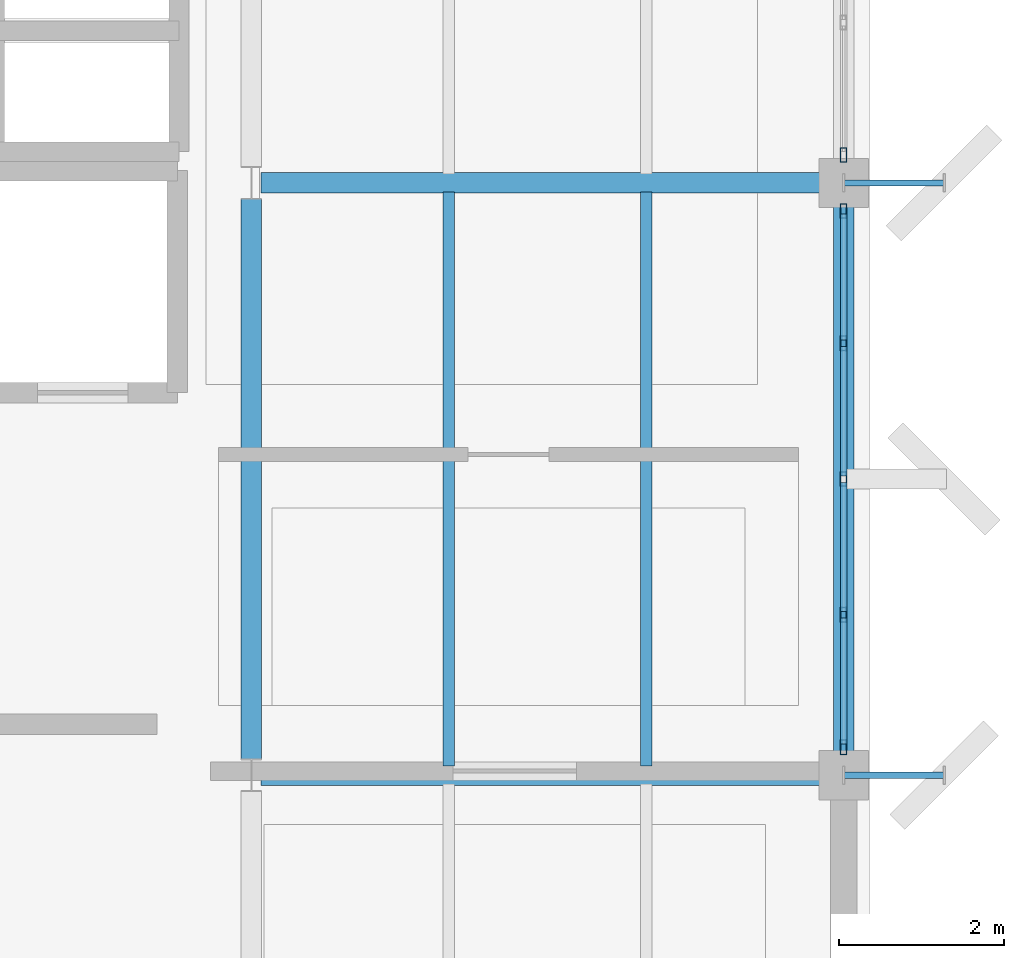
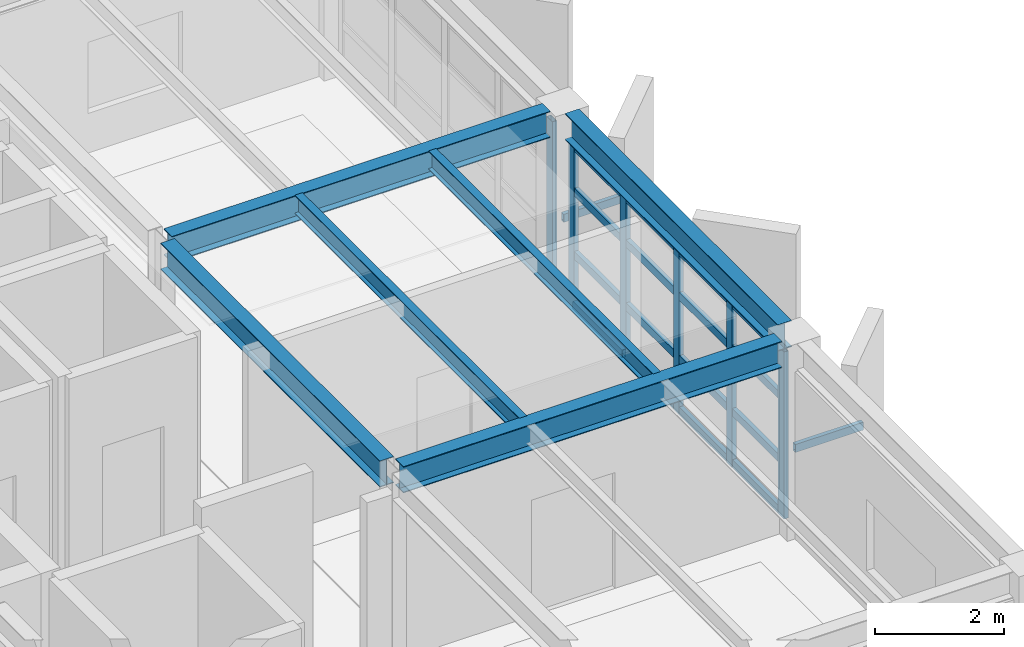
# One storey, part 6 of 16: 24 members, 6 beams, 2 elements without a shape of their own.
"""IFC4 building model written with IfcOpenShell, lengths in metres."""

import ifcopenshell
import ifcopenshell.guid

model = None  # the IFC model being written
_history = None  # IfcOwnerHistory: only IFC2X3 demands one
_inside = {}  # id of a spatial element -> (the spatial element, [elements in it])
_under = {}  # id of a project, library or spatial element -> (it, [spatial elements below it])
_declared = {}  # id of a project -> (the project, [libraries it declares])
_typed = {}  # id of a type object -> (the type object, [elements of that type])
_made_of = {}  # id of a material, layer set ... -> (it, [elements and type objects made of it])


def new_model(schema):
    """Start an empty IFC model of exactly this schema.

    Asked for "IFC4X3", IfcOpenShell would pick the latest addendum, in which some entities
    have other attributes; the version numbers below select the first issue.
    IFC2X3 requires an IfcOwnerHistory on every rooted entity: one is made here for all.
    """
    global model, _history
    if schema == "IFC4X3":
        model = ifcopenshell.file(schema_version=(4, 3, 0, 0))
    else:
        model = ifcopenshell.file(schema=schema)
    _inside.clear()
    _under.clear()
    _declared.clear()
    _typed.clear()
    _made_of.clear()
    _history = None
    if model.schema == "IFC2X3":
        org = make("IfcOrganization", Name="unknown")
        user = make(
            "IfcPersonAndOrganization",
            ThePerson=make("IfcPerson", FamilyName="unknown"),
            TheOrganization=org,
        )
        app = make(
            "IfcApplication",
            ApplicationDeveloper=org,
            Version="unknown",
            ApplicationFullName="unknown",
            ApplicationIdentifier="unknown",
        )
        _history = make(
            "IfcOwnerHistory",
            OwningUser=user,
            OwningApplication=app,
            ChangeAction="ADDED",
            CreationDate=0,
        )
    return model


def make(cls, **values):
    """One entity of the class cls with the attributes given. An attribute that is None is left unset."""
    return model.create_entity(
        cls, **{name: value for name, value in values.items() if value is not None}
    )


def rooted(cls, **values):
    """An entity with a GlobalId (a new one), such as an element, a storey or a relation."""
    return make(cls, GlobalId=ifcopenshell.guid.new(), OwnerHistory=_history, **values)


def si_unit(unit_type, name, prefix=None):
    """IfcSIUnit, for example si_unit("LENGTHUNIT", "METRE", prefix="MILLI")."""
    return make("IfcSIUnit", UnitType=unit_type, Prefix=prefix, Name=name)


def assignment(units):
    """IfcUnitAssignment: the units of a project."""
    return None if units is None else make("IfcUnitAssignment", Units=units)


def point(xyz):
    """IfcCartesianPoint."""
    return None if xyz is None else make("IfcCartesianPoint", Coordinates=xyz)


def direction(xyz):
    """IfcDirection."""
    return None if xyz is None else make("IfcDirection", DirectionRatios=xyz)


def frame(location, z_axis=None, x_axis=None):
    """IfcAxis2Placement3D, a coordinate frame: its origin and axes. An axis left out is left unset."""
    return make(
        "IfcAxis2Placement3D",
        Location=point(location),
        Axis=direction(z_axis),
        RefDirection=direction(x_axis),
    )


def frame_2d(location, x_axis=None):
    """IfcAxis2Placement2D, a coordinate frame in the plane: its origin and x axis."""
    return make(
        "IfcAxis2Placement2D", Location=point(location), RefDirection=direction(x_axis)
    )


def origin():
    """The frame at (0, 0, 0) with its axes left unset."""
    return frame((0.0, 0.0, 0.0))


def origin_2d():
    """The frame at (0, 0) in the plane with its x axis left unset."""
    return frame_2d((0.0, 0.0))


def place(relative_to, where):
    """IfcLocalPlacement: puts the frame where relative to a parent placement (None: the world)."""
    return make(
        "IfcLocalPlacement", PlacementRelTo=relative_to, RelativePlacement=where
    )


def context(
    kind, dimensions, precision=None, world=None, true_north=None, identifier=None
):
    """IfcGeometricRepresentationContext, for example the 3D "Model" context."""
    return make(
        "IfcGeometricRepresentationContext",
        ContextIdentifier=identifier,
        ContextType=kind,
        CoordinateSpaceDimension=dimensions,
        Precision=precision,
        WorldCoordinateSystem=world,
        TrueNorth=true_north,
    )


def subcontext(parent, identifier, kind, view, scale=None):
    """IfcGeometricRepresentationSubContext, for example "Body" below "Model"."""
    return make(
        "IfcGeometricRepresentationSubContext",
        ContextIdentifier=identifier,
        ContextType=kind,
        ParentContext=parent,
        TargetScale=scale,
        TargetView=view,
    )


def project(units=None, contexts=None):
    """IfcProject with its units and contexts."""
    return rooted(
        "IfcProject",
        Name="project",
        RepresentationContexts=contexts,
        UnitsInContext=assignment(units),
    )


def spatial(cls, under=None, at=None, **own):
    """A site, building, storey or space (cls), placed at a placement, below another one or the project."""
    s = rooted(cls, ObjectPlacement=at, **own)
    if under is not None:
        _under.setdefault(under.id(), (under, []))[1].append(s)
    return s


def profile(cls, at=None, kind="AREA", **sizes):
    """A parametric profile (cls). Its sizes go by their IFC names, for example OverallWidth=200.0."""
    return make(cls, ProfileType=kind, Position=at, **sizes)


def hollow_rectangle(**sizes):
    """IfcRectangleHollowProfileDef."""
    return profile("IfcRectangleHollowProfileDef", **sizes)


def i_section(**sizes):
    """IfcIShapeProfileDef."""
    return profile("IfcIShapeProfileDef", **sizes)


def extrude(swept, where, along, depth):
    """IfcExtrudedAreaSolid: the profile swept, set in the frame where, extruded along a direction by depth."""
    return make(
        "IfcExtrudedAreaSolid",
        SweptArea=swept,
        Position=where,
        ExtrudedDirection=direction(along),
        Depth=depth,
    )


def shape(context_of_items, identifier, shape_type, items):
    """IfcShapeRepresentation: the items that make up one representation, for example the "Body"."""
    return make(
        "IfcShapeRepresentation",
        ContextOfItems=context_of_items,
        RepresentationIdentifier=identifier,
        RepresentationType=shape_type,
        Items=items,
    )


def material(Name=None, Category=None):
    """IfcMaterial."""
    return make("IfcMaterial", Name=Name, Category=Category)


def layer(
    of_material, thickness, ventilated=None, Name=None, Category=None, Priority=None
):
    """IfcMaterialLayer: one layer of a wall or slab, of a material (None: an air gap)."""
    return make(
        "IfcMaterialLayer",
        Material=of_material,
        LayerThickness=thickness,
        IsVentilated=ventilated,
        Name=Name,
        Category=Category,
        Priority=Priority,
    )


def layer_set(layers, Name=None):
    """IfcMaterialLayerSet."""
    return make("IfcMaterialLayerSet", MaterialLayers=layers, LayerSetName=Name)


def material_profile(
    of_material, cross_section, Name=None, Category=None, Priority=None
):
    """IfcMaterialProfile: a cross section and its material."""
    return make(
        "IfcMaterialProfile",
        Name=Name,
        Material=of_material,
        Profile=cross_section,
        Priority=Priority,
        Category=Category,
    )


def profile_set(profiles, Name=None, composite=None):
    """IfcMaterialProfileSet."""
    return make(
        "IfcMaterialProfileSet",
        Name=Name,
        MaterialProfiles=profiles,
        CompositeProfile=composite,
    )


def made_of(thing, what):
    """Note that an element or type object is made of a material, layer set ...; save() writes the relation."""
    if what is not None:
        _made_of.setdefault(what.id(), (what, []))[1].append(thing)
    return thing


def type_object(cls, material=None, **own):
    """A type object (cls), such as IfcWallType, which elements share."""
    return made_of(rooted(cls, **own), material)


def element(
    cls,
    number,
    at=None,
    inside=None,
    cuts=None,
    type_object=None,
    material=None,
    context=None,
    identifier="Body",
    shape_type=None,
    held_by="IfcProductDefinitionShape",
    body=None,
    shapes=None,
    **own,
):
    """One element of the class cls, such as IfcWall. Its Tag is "e" and its number.

    at: its placement. inside: the storey or other place that contains it. cuts: it is an
    opening in that element (IfcRelVoidsElement). A single representation is given by context,
    identifier, shape_type and body (its items); several are given by shapes. held_by: the class
    of the entity that holds the representations. save() writes the other relations.
    """
    e = rooted(cls, Tag="e%d" % number, ObjectPlacement=at, **own)
    if body is not None:
        shapes = [shape(context, identifier, shape_type, body)]
    if shapes is not None:
        e.Representation = make(held_by, Representations=shapes)
    if inside is not None:
        _inside.setdefault(inside.id(), (inside, []))[1].append(e)
    if cuts is not None:
        rooted(
            "IfcRelVoidsElement", RelatingBuildingElement=cuts, RelatedOpeningElement=e
        )
    if type_object is not None:
        _typed.setdefault(type_object.id(), (type_object, []))[1].append(e)
    return made_of(e, material)


def aggregate(whole, parts):
    """IfcRelAggregates: a whole, such as a stair, and the parts it consists of."""
    return rooted("IfcRelAggregates", RelatingObject=whole, RelatedObjects=parts)


def save(model, path):
    """Write the relations noted so far, then the file.

    IfcRelAggregates (storeys below a building ...), IfcRelContainedInSpatialStructure (elements
    in a storey), IfcRelDefinesByType, IfcRelAssociatesMaterial and IfcRelDeclares: one each for
    every whole, place, type object, material and project.
    """
    for whole, parts in _under.values():
        aggregate(whole, parts)
    for where, things in _inside.values():
        rooted(
            "IfcRelContainedInSpatialStructure",
            RelatedElements=things,
            RelatingStructure=where,
        )
    for kind, things in _typed.values():
        rooted("IfcRelDefinesByType", RelatedObjects=things, RelatingType=kind)
    for what, things in _made_of.values():
        rooted("IfcRelAssociatesMaterial", RelatedObjects=things, RelatingMaterial=what)
    for by, libraries in _declared.values():
        rooted("IfcRelDeclares", RelatingContext=by, RelatedDefinitions=libraries)
    model.write(path)


model = new_model("IFC4")

# Units and contexts
model_context = context("Model", 3, precision=1e-05, world=origin(), true_north=direction((0.0, 1.0)))
body_context = subcontext(model_context, "Body", "Model", "MODEL_VIEW")
ifc_project = project(units=[si_unit("LENGTHUNIT", "METRE"), si_unit("AREAUNIT", "SQUARE_METRE"), si_unit("VOLUMEUNIT", "CUBIC_METRE"), si_unit("PLANEANGLEUNIT", "RADIAN"), si_unit("MASSUNIT", "GRAM", prefix="KILO")], contexts=[model_context])

# Site, building, storey
site_placement = place(None, origin())
site = spatial("IfcSite", under=ifc_project, at=site_placement, CompositionType="ELEMENT")
building_placement = place(site_placement, origin())
building = spatial("IfcBuilding", under=site, at=building_placement, Name="Kandorven Conservatory and Botanical Research Centre", CompositionType="ELEMENT")
storey_placement = place(building_placement, frame((0.0, 0.0, 44.39990234375)))
storey = spatial("IfcBuildingStorey", under=building, at=storey_placement, Name="L11", CompositionType="ELEMENT", Elevation=44.39990234375)

# Beams
ifc_material_1 = material(Name="Steel S355 (IS 2062 E350)", Category="steel")
ifc_material_profile_1 = material_profile(ifc_material_1, i_section(OverallWidth=0.25, OverallDepth=0.5, WebThickness=0.010009765625, FlangeThickness=0.0146484375, at=origin_2d()))
ifc_profile_set_1 = profile_set([ifc_material_profile_1], Name="Steel S355 (IS 2062 E350)")
beam_type_1 = type_object("IfcBeamType", Name="Beam_FG-02", PredefinedType="USERDEFINED", material=ifc_profile_set_1)
for number, where, z_axis, x_axis, name in (
    (1, (27.715087890625, 13.199951171875, 3.440185546875), (1.0, 0.0, 0.0), (0.0, 1.0, 0.0), "Primary girder FG-02 TWR L11"),
    (2, (27.715087890625, 20.39990234375, 3.440185546875), (1.0, 0.0, 0.0), (0.0, 1.0, 0.0), "Primary girder FG-02 TWR L11"),
):
    element("IfcBeam", number, at=place(storey_placement, frame(where, z_axis=z_axis, x_axis=x_axis)), inside=storey, type_object=beam_type_1, Name=name, ObjectType="GIRDER", PredefinedType="USERDEFINED", context=body_context, shape_type="SweptSolid", body=[
        extrude(i_section(OverallWidth=0.25, OverallDepth=0.5, WebThickness=0.010009765625, FlangeThickness=0.0146484375, at=origin_2d()), origin(), (0.0, 0.0, 1.0), 6.794921875),
    ])
beam_1_placement = place(storey_placement, frame((27.60009765625, 13.389892578125, 3.440185546875), z_axis=(0.0, 1.0, 0.0), x_axis=(-1.0, 0.0, 0.0)))
element("IfcBeam", 3, at=beam_1_placement, inside=storey, type_object=beam_type_1, Name="Primary girder FG-02 TWR L11", ObjectType="GIRDER", PredefinedType="USERDEFINED", context=body_context, shape_type="SweptSolid", body=[
    extrude(i_section(OverallWidth=0.25, OverallDepth=0.5, WebThickness=0.010009765625, FlangeThickness=0.0146484375, at=origin_2d()), origin(), (0.0, 0.0, 1.0), 6.820068359375),
])
beam_2_placement = place(storey_placement, frame((34.800048828125, 13.489990234375, 3.440185546875), z_axis=(0.0, 1.0, 0.0), x_axis=(-1.0, 0.0, 0.0)))
element("IfcBeam", 4, at=beam_2_placement, inside=storey, type_object=beam_type_1, Name="Primary girder FG-02 TWR L11", ObjectType="GIRDER", PredefinedType="USERDEFINED", context=body_context, shape_type="SweptSolid", body=[
    extrude(i_section(OverallWidth=0.25, OverallDepth=0.5, WebThickness=0.010009765625, FlangeThickness=0.0146484375, at=origin_2d()), origin(), (0.0, 0.0, 1.0), 6.6201171875),
])
ifc_material_2 = material(Name="Steel S355 (IS 2062 E350)", Category="steel")
ifc_material_profile_2 = material_profile(ifc_material_2, i_section(OverallWidth=0.139892578125, OverallDepth=0.35009765625, WebThickness=0.008056640625, FlangeThickness=0.01416015625, at=origin_2d()))
ifc_profile_set_2 = profile_set([ifc_material_profile_2], Name="Steel S355 (IS 2062 E350)")
beam_type_2 = type_object("IfcBeamType", Name="Beam_SB-06", PredefinedType="BEAM", material=ifc_profile_set_2)
for number, where, z_axis, x_axis, name in (
    (5, (30.0, 13.31005859375, 3.51513671875), (0.0, 1.0, 0.0), (-1.0, 0.0, 0.0), "Composite secondary beam SB-06 TWR L11"),
    (6, (32.39990234375, 13.31005859375, 3.51513671875), (0.0, 1.0, 0.0), (-1.0, 0.0, 0.0), "Composite secondary beam SB-06 TWR L11"),
):
    element("IfcBeam", number, at=place(storey_placement, frame(where, z_axis=z_axis, x_axis=x_axis)), inside=storey, type_object=beam_type_2, Name=name, PredefinedType="BEAM", context=body_context, shape_type="SweptSolid", body=[
        extrude(i_section(OverallWidth=0.139892578125, OverallDepth=0.35009765625, WebThickness=0.008056640625, FlangeThickness=0.01416015625, at=origin_2d()), origin(), (0.0, 0.0, 1.0), 6.97998046875),
    ])

# Curtain wall, members
ifc_material_3 = material(Name="Bronze anodised thermally broken aluminium", Category="aluminium")
ifc_layer = layer(ifc_material_3, 0.179931640625)
ifc_layer_set = layer_set([ifc_layer], Name="Bronze anodised thermally broken aluminium")
curtain_wall_type = type_object("IfcCurtainWallType", Name="CW_Unitised", PredefinedType="USERDEFINED", material=ifc_layer_set)
curtain_wall_1_placement = place(storey_placement, origin())
curtain_wall_1 = element("IfcCurtainWall", 7, at=curtain_wall_1_placement, inside=storey, type_object=curtain_wall_type, Name="Tower laboratory curtain wall CW-TWR-E-L11-2", ObjectType="UNITISED GLAZING", PredefinedType="USERDEFINED")
ifc_material_4 = material(Name="Bronze anodised thermally broken aluminium", Category="aluminium")
ifc_material_profile_3 = material_profile(ifc_material_4, hollow_rectangle(XDim=0.080078125, YDim=0.179931640625, WallThickness=0.006103515625, at=origin_2d()))
ifc_profile_set_3 = profile_set([ifc_material_profile_3], Name="Bronze anodised thermally broken aluminium")
member_type_1 = type_object("IfcMemberType", Name="CW_Mullion", PredefinedType="MULLION", material=ifc_profile_set_3)
member_1_placement = place(storey_placement, frame((34.800048828125, 13.5400390625, 0.0), z_axis=(0.0, 0.0, 1.0), x_axis=(-1.0, 0.0, 0.0)))
member_1 = element("IfcMember", 8, at=member_1_placement, type_object=member_type_1, Name="CW-01 mullion 1", PredefinedType="MULLION", context=body_context, shape_type="SweptSolid", body=[
    extrude(hollow_rectangle(XDim=0.080078125, YDim=0.179931640625, WallThickness=0.006103515625, at=origin_2d()), origin(), (0.0, 0.0, 1.0), 3.170166015625),
])
member_2_placement = place(storey_placement, frame((34.800048828125, 15.14990234375, 0.0), z_axis=(0.0, 0.0, 1.0), x_axis=(-1.0, 0.0, 0.0)))
member_2 = element("IfcMember", 9, at=member_2_placement, type_object=member_type_1, Name="CW-01 mullion 2", PredefinedType="MULLION", context=body_context, shape_type="SweptSolid", body=[
    extrude(hollow_rectangle(XDim=0.080078125, YDim=0.179931640625, WallThickness=0.006103515625, at=origin_2d()), origin(), (0.0, 0.0, 1.0), 3.170166015625),
])
member_3_placement = place(storey_placement, frame((34.800048828125, 16.800048828125, 0.0), z_axis=(0.0, 0.0, 1.0), x_axis=(-1.0, 0.0, 0.0)))
member_3 = element("IfcMember", 10, at=member_3_placement, type_object=member_type_1, Name="CW-01 mullion 3", PredefinedType="MULLION", context=body_context, shape_type="SweptSolid", body=[
    extrude(hollow_rectangle(XDim=0.080078125, YDim=0.179931640625, WallThickness=0.006103515625, at=origin_2d()), origin(), (0.0, 0.0, 1.0), 3.170166015625),
])
member_4_placement = place(storey_placement, frame((34.800048828125, 18.449951171875, 0.0), z_axis=(0.0, 0.0, 1.0), x_axis=(-1.0, 0.0, 0.0)))
member_4 = element("IfcMember", 11, at=member_4_placement, type_object=member_type_1, Name="CW-01 mullion 4", PredefinedType="MULLION", context=body_context, shape_type="SweptSolid", body=[
    extrude(hollow_rectangle(XDim=0.080078125, YDim=0.179931640625, WallThickness=0.006103515625, at=origin_2d()), origin(), (0.0, 0.0, 1.0), 3.170166015625),
])
member_5_placement = place(storey_placement, frame((34.800048828125, 20.06005859375, 0.0), z_axis=(0.0, 0.0, 1.0), x_axis=(-1.0, 0.0, 0.0)))
member_5 = element("IfcMember", 12, at=member_5_placement, type_object=member_type_1, Name="CW-01 mullion 5", PredefinedType="MULLION", context=body_context, shape_type="SweptSolid", body=[
    extrude(hollow_rectangle(XDim=0.080078125, YDim=0.179931640625, WallThickness=0.006103515625, at=origin_2d()), origin(), (0.0, 0.0, 1.0), 3.170166015625),
])

# Curtain wall, member
curtain_wall_2_placement = place(storey_placement, origin())
curtain_wall_2 = element("IfcCurtainWall", 13, at=curtain_wall_2_placement, inside=storey, type_object=curtain_wall_type, Name="Tower laboratory curtain wall CW-TWR-E-L11-3", ObjectType="UNITISED GLAZING", PredefinedType="USERDEFINED")
member_6_placement = place(storey_placement, frame((34.800048828125, 20.739990234375, 0.0), z_axis=(0.0, 0.0, 1.0), x_axis=(-1.0, 0.0, 0.0)))
member_6 = element("IfcMember", 14, at=member_6_placement, type_object=member_type_1, Name="CW-01 mullion 1", PredefinedType="MULLION", context=body_context, shape_type="SweptSolid", body=[
    extrude(hollow_rectangle(XDim=0.080078125, YDim=0.179931640625, WallThickness=0.006103515625, at=origin_2d()), origin(), (0.0, 0.0, 1.0), 3.170166015625),
])
aggregate(curtain_wall_2, [member_6])

# Member
ifc_material_5 = material(Name="Bronze anodised thermally broken aluminium", Category="aluminium")
ifc_material_profile_4 = material_profile(ifc_material_5, hollow_rectangle(XDim=0.074951171875, YDim=0.14990234375, WallThickness=0.006103515625, at=origin_2d()))
ifc_profile_set_4 = profile_set([ifc_material_profile_4], Name="Bronze anodised thermally broken aluminium")
member_type_2 = type_object("IfcMemberType", Name="CW_Transom", PredefinedType="USERDEFINED", material=ifc_profile_set_4)
member_7_placement = place(storey_placement, frame((34.800048828125, 13.580078125, 0.0751953125), z_axis=(0.0, 1.0, 0.0), x_axis=(-1.0, 0.0, 0.0)))
member_7 = element("IfcMember", 15, at=member_7_placement, type_object=member_type_2, Name="CW-01 transom 1.1", ObjectType="TRANSOM", PredefinedType="USERDEFINED", context=body_context, shape_type="SweptSolid", body=[
    extrude(hollow_rectangle(XDim=0.074951171875, YDim=0.14990234375, WallThickness=0.006103515625, at=origin_2d()), origin(), (0.0, 0.0, 1.0), 1.530029296875),
])

member_8_placement = place(storey_placement, frame((34.800048828125, 13.580078125, 1.050048828125), z_axis=(0.0, 1.0, 0.0), x_axis=(-1.0, 0.0, 0.0)))
member_8 = element("IfcMember", 16, at=member_8_placement, type_object=member_type_2, Name="CW-01 transom 1.2", ObjectType="TRANSOM", PredefinedType="USERDEFINED", context=body_context, shape_type="SweptSolid", body=[
    extrude(hollow_rectangle(XDim=0.074951171875, YDim=0.14990234375, WallThickness=0.006103515625, at=origin_2d()), origin(), (0.0, 0.0, 1.0), 1.530029296875),
])

member_9_placement = place(storey_placement, frame((34.800048828125, 13.580078125, 2.25), z_axis=(0.0, 1.0, 0.0), x_axis=(-1.0, 0.0, 0.0)))
member_9 = element("IfcMember", 17, at=member_9_placement, type_object=member_type_2, Name="CW-01 transom 1.3", ObjectType="TRANSOM", PredefinedType="USERDEFINED", context=body_context, shape_type="SweptSolid", body=[
    extrude(hollow_rectangle(XDim=0.074951171875, YDim=0.14990234375, WallThickness=0.006103515625, at=origin_2d()), origin(), (0.0, 0.0, 1.0), 1.530029296875),
])

member_10_placement = place(storey_placement, frame((34.800048828125, 13.580078125, 3.09521484375), z_axis=(0.0, 1.0, 0.0), x_axis=(-1.0, 0.0, 0.0)))
member_10 = element("IfcMember", 18, at=member_10_placement, type_object=member_type_2, Name="CW-01 transom 1.4", ObjectType="TRANSOM", PredefinedType="USERDEFINED", context=body_context, shape_type="SweptSolid", body=[
    extrude(hollow_rectangle(XDim=0.074951171875, YDim=0.14990234375, WallThickness=0.006103515625, at=origin_2d()), origin(), (0.0, 0.0, 1.0), 1.530029296875),
])

member_11_placement = place(storey_placement, frame((34.800048828125, 15.18994140625, 0.0751953125), z_axis=(0.0, 1.0, 0.0), x_axis=(-1.0, 0.0, 0.0)))
member_11 = element("IfcMember", 19, at=member_11_placement, type_object=member_type_2, Name="CW-01 transom 2.1", ObjectType="TRANSOM", PredefinedType="USERDEFINED", context=body_context, shape_type="SweptSolid", body=[
    extrude(hollow_rectangle(XDim=0.074951171875, YDim=0.14990234375, WallThickness=0.006103515625, at=origin_2d()), origin(), (0.0, 0.0, 1.0), 1.570068359375),
])

member_12_placement = place(storey_placement, frame((34.800048828125, 15.18994140625, 1.050048828125), z_axis=(0.0, 1.0, 0.0), x_axis=(-1.0, 0.0, 0.0)))
member_12 = element("IfcMember", 20, at=member_12_placement, type_object=member_type_2, Name="CW-01 transom 2.2", ObjectType="TRANSOM", PredefinedType="USERDEFINED", context=body_context, shape_type="SweptSolid", body=[
    extrude(hollow_rectangle(XDim=0.074951171875, YDim=0.14990234375, WallThickness=0.006103515625, at=origin_2d()), origin(), (0.0, 0.0, 1.0), 1.570068359375),
])

member_13_placement = place(storey_placement, frame((34.800048828125, 15.18994140625, 2.25), z_axis=(0.0, 1.0, 0.0), x_axis=(-1.0, 0.0, 0.0)))
member_13 = element("IfcMember", 21, at=member_13_placement, type_object=member_type_2, Name="CW-01 transom 2.3", ObjectType="TRANSOM", PredefinedType="USERDEFINED", context=body_context, shape_type="SweptSolid", body=[
    extrude(hollow_rectangle(XDim=0.074951171875, YDim=0.14990234375, WallThickness=0.006103515625, at=origin_2d()), origin(), (0.0, 0.0, 1.0), 1.570068359375),
])

member_14_placement = place(storey_placement, frame((34.800048828125, 15.18994140625, 3.09521484375), z_axis=(0.0, 1.0, 0.0), x_axis=(-1.0, 0.0, 0.0)))
member_14 = element("IfcMember", 22, at=member_14_placement, type_object=member_type_2, Name="CW-01 transom 2.4", ObjectType="TRANSOM", PredefinedType="USERDEFINED", context=body_context, shape_type="SweptSolid", body=[
    extrude(hollow_rectangle(XDim=0.074951171875, YDim=0.14990234375, WallThickness=0.006103515625, at=origin_2d()), origin(), (0.0, 0.0, 1.0), 1.570068359375),
])

member_15_placement = place(storey_placement, frame((34.800048828125, 16.840087890625, 0.0751953125), z_axis=(0.0, 1.0, 0.0), x_axis=(-1.0, 0.0, 0.0)))
member_15 = element("IfcMember", 23, at=member_15_placement, type_object=member_type_2, Name="CW-01 transom 3.1", ObjectType="TRANSOM", PredefinedType="USERDEFINED", context=body_context, shape_type="SweptSolid", body=[
    extrude(hollow_rectangle(XDim=0.074951171875, YDim=0.14990234375, WallThickness=0.006103515625, at=origin_2d()), origin(), (0.0, 0.0, 1.0), 1.56982421875),
])

member_16_placement = place(storey_placement, frame((34.800048828125, 16.840087890625, 1.050048828125), z_axis=(0.0, 1.0, 0.0), x_axis=(-1.0, 0.0, 0.0)))
member_16 = element("IfcMember", 24, at=member_16_placement, type_object=member_type_2, Name="CW-01 transom 3.2", ObjectType="TRANSOM", PredefinedType="USERDEFINED", context=body_context, shape_type="SweptSolid", body=[
    extrude(hollow_rectangle(XDim=0.074951171875, YDim=0.14990234375, WallThickness=0.006103515625, at=origin_2d()), origin(), (0.0, 0.0, 1.0), 1.56982421875),
])

member_17_placement = place(storey_placement, frame((34.800048828125, 16.840087890625, 2.25), z_axis=(0.0, 1.0, 0.0), x_axis=(-1.0, 0.0, 0.0)))
member_17 = element("IfcMember", 25, at=member_17_placement, type_object=member_type_2, Name="CW-01 transom 3.3", ObjectType="TRANSOM", PredefinedType="USERDEFINED", context=body_context, shape_type="SweptSolid", body=[
    extrude(hollow_rectangle(XDim=0.074951171875, YDim=0.14990234375, WallThickness=0.006103515625, at=origin_2d()), origin(), (0.0, 0.0, 1.0), 1.56982421875),
])

member_18_placement = place(storey_placement, frame((34.800048828125, 16.840087890625, 3.09521484375), z_axis=(0.0, 1.0, 0.0), x_axis=(-1.0, 0.0, 0.0)))
member_18 = element("IfcMember", 26, at=member_18_placement, type_object=member_type_2, Name="CW-01 transom 3.4", ObjectType="TRANSOM", PredefinedType="USERDEFINED", context=body_context, shape_type="SweptSolid", body=[
    extrude(hollow_rectangle(XDim=0.074951171875, YDim=0.14990234375, WallThickness=0.006103515625, at=origin_2d()), origin(), (0.0, 0.0, 1.0), 1.56982421875),
])

member_19_placement = place(storey_placement, frame((34.800048828125, 18.489990234375, 0.0751953125), z_axis=(0.0, 1.0, 0.0), x_axis=(-1.0, 0.0, 0.0)))
member_19 = element("IfcMember", 27, at=member_19_placement, type_object=member_type_2, Name="CW-01 transom 4.1", ObjectType="TRANSOM", PredefinedType="USERDEFINED", context=body_context, shape_type="SweptSolid", body=[
    extrude(hollow_rectangle(XDim=0.074951171875, YDim=0.14990234375, WallThickness=0.006103515625, at=origin_2d()), origin(), (0.0, 0.0, 1.0), 1.530029296875),
])

member_20_placement = place(storey_placement, frame((34.800048828125, 18.489990234375, 1.050048828125), z_axis=(0.0, 1.0, 0.0), x_axis=(-1.0, 0.0, 0.0)))
member_20 = element("IfcMember", 28, at=member_20_placement, type_object=member_type_2, Name="CW-01 transom 4.2", ObjectType="TRANSOM", PredefinedType="USERDEFINED", context=body_context, shape_type="SweptSolid", body=[
    extrude(hollow_rectangle(XDim=0.074951171875, YDim=0.14990234375, WallThickness=0.006103515625, at=origin_2d()), origin(), (0.0, 0.0, 1.0), 1.530029296875),
])

member_21_placement = place(storey_placement, frame((34.800048828125, 18.489990234375, 2.25), z_axis=(0.0, 1.0, 0.0), x_axis=(-1.0, 0.0, 0.0)))
member_21 = element("IfcMember", 29, at=member_21_placement, type_object=member_type_2, Name="CW-01 transom 4.3", ObjectType="TRANSOM", PredefinedType="USERDEFINED", context=body_context, shape_type="SweptSolid", body=[
    extrude(hollow_rectangle(XDim=0.074951171875, YDim=0.14990234375, WallThickness=0.006103515625, at=origin_2d()), origin(), (0.0, 0.0, 1.0), 1.530029296875),
])

member_22_placement = place(storey_placement, frame((34.800048828125, 18.489990234375, 3.09521484375), z_axis=(0.0, 1.0, 0.0), x_axis=(-1.0, 0.0, 0.0)))
member_22 = element("IfcMember", 30, at=member_22_placement, type_object=member_type_2, Name="CW-01 transom 4.4", ObjectType="TRANSOM", PredefinedType="USERDEFINED", context=body_context, shape_type="SweptSolid", body=[
    extrude(hollow_rectangle(XDim=0.074951171875, YDim=0.14990234375, WallThickness=0.006103515625, at=origin_2d()), origin(), (0.0, 0.0, 1.0), 1.530029296875),
])

aggregate(curtain_wall_1, [member_1, member_2, member_3, member_4, member_5, member_7, member_8, member_9, member_10, member_11, member_12, member_13, member_14, member_15, member_16, member_17, member_18, member_19, member_20, member_21, member_22])

# Members
ifc_material_6 = material(Name="Steel S355 (IS 2062 E350)", Category="steel")
ifc_material_profile_5 = material_profile(ifc_material_6, hollow_rectangle(XDim=0.074951171875, YDim=0.14990234375, WallThickness=0.006103515625, at=origin_2d()))
ifc_profile_set_5 = profile_set([ifc_material_profile_5], Name="Steel S355 (IS 2062 E350)")
member_type_3 = type_object("IfcMemberType", Name="Mem_SF-01", PredefinedType="STRUT", material=ifc_profile_set_5)
for number, where, z_axis, x_axis, name in (
    (31, (34.800048828125, 13.199951171875, 1.5), (1.0, 0.0, 0.0), (0.0, 1.0, 0.0), "Solar fin steel outrigger strut SF-01 #93"),
    (32, (34.800048828125, 20.39990234375, 1.5), (1.0, 0.0, 0.0), (0.0, 1.0, 0.0), "Solar fin steel outrigger strut SF-01 #95"),
):
    element("IfcMember", number, at=place(storey_placement, frame(where, z_axis=z_axis, x_axis=x_axis)), inside=storey, type_object=member_type_3, Name=name, PredefinedType="STRUT", context=body_context, shape_type="SweptSolid", body=[
        extrude(hollow_rectangle(XDim=0.074951171875, YDim=0.14990234375, WallThickness=0.006103515625, at=origin_2d()), origin(), (0.0, 0.0, 1.0), 1.219970703125),
    ])

save(model, "model.ifc")
